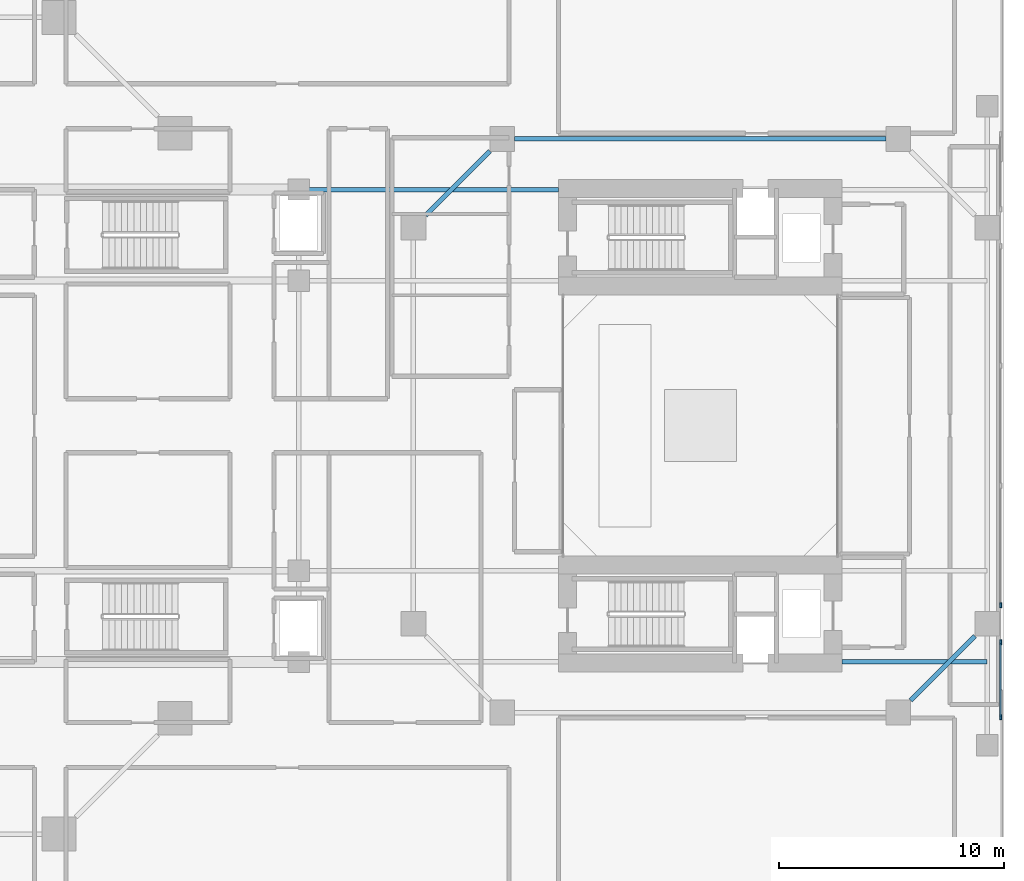
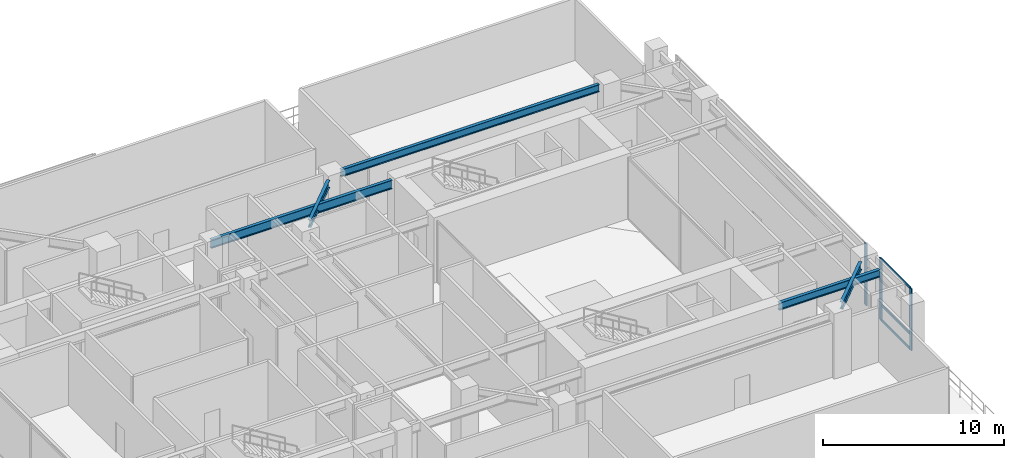
# One storey, part 7 of 19: 6 members, 5 beams, 2 elements without a shape of their own.
"""IFC4 building model written with IfcOpenShell, lengths in metres."""

from ifc_helpers import new_model, si_unit, direction, frame, origin, origin_2d, place, context, subcontext, project, spatial, rectangle, i_section, extrude, source, transform, mapped, material, layer, layer_set, material_profile, profile_set, type_object, element, aggregate, save


model = new_model("IFC4")

# Units and contexts
model_context = context("Model", 3, precision=1e-05, world=origin(), true_north=direction((0.0, 1.0)))
body_context = subcontext(model_context, "Body", "Model", "MODEL_VIEW")
ifc_project = project(units=[si_unit("LENGTHUNIT", "METRE"), si_unit("AREAUNIT", "SQUARE_METRE"), si_unit("VOLUMEUNIT", "CUBIC_METRE"), si_unit("PLANEANGLEUNIT", "RADIAN"), si_unit("MASSUNIT", "GRAM", prefix="KILO"), si_unit("THERMODYNAMICTEMPERATUREUNIT", "KELVIN"), si_unit("POWERUNIT", "WATT")], contexts=[model_context])

# Site, building, storey
site_placement = place(None, origin())
site = spatial("IfcSite", under=ifc_project, at=site_placement, CompositionType="ELEMENT")
building_placement = place(site_placement, origin())
building = spatial("IfcBuilding", under=site, at=building_placement, Name="Qiaomeng Ring Towers", CompositionType="ELEMENT")
storey_placement = place(building_placement, frame((0.0, 0.0, 5.0)))
storey = spatial("IfcBuildingStorey", under=building, at=storey_placement, Name="L01", CompositionType="ELEMENT", Elevation=5.0)

# Beams
ifc_material_1 = material(Name="Steel Q355B", Category="steel")
ifc_material_profile_1 = material_profile(ifc_material_1, i_section(OverallWidth=0.199951171875, OverallDepth=0.5, WebThickness=0.010009765625, FlangeThickness=0.01611328125, FilletRadius=0.02001953125, at=origin_2d()), Name="HN 500x200x10x16")
ifc_profile_set_1 = profile_set([ifc_material_profile_1], Name="Steel Q355B")
beam_type_1 = type_object("IfcBeamType", Name="STR-BM-HN500", PredefinedType="BEAM", material=ifc_profile_set_1)
shared_shape_1 = source(origin(), body_context, "Body", "SweptSolid", [
    extrude(i_section(OverallWidth=0.199951171875, OverallDepth=0.5, WebThickness=0.010009765625, FlangeThickness=0.01611328125, FilletRadius=0.02001953125, at=origin_2d()), origin(), (0.0, 0.0, 1.0), 4.032470703125),
])
for number, where, z_axis, x_axis, name in (
    (1, (69.849365234375, 10.79931640625, 3.929931640625), (0.707106781187, 0.707106781187, 0.0), (-0.707106781187, 0.707106781187, 0.0), "L01 beam STR-SP-L01-T2-2"),
    (2, (51.150634765625, 35.20068359375, 3.929931640625), (-0.707106781187, -0.707106781187, 0.0), (0.707106781187, -0.707106781187, 0.0), "L01 beam STR-SP-L01-T2-6"),
):
    element("IfcBeam", number, at=place(storey_placement, frame(where, z_axis=z_axis, x_axis=x_axis)), inside=storey, type_object=beam_type_1, Name=name, PredefinedType="BEAM", context=body_context, shape_type="MappedRepresentation", body=[
        mapped(shared_shape_1, transform((0.0, 0.0, 0.0), x_axis=(1.0, 0.0, 0.0), y_axis=(0.0, 1.0, 0.0), z_axis=(0.0, 0.0, 1.0), scale=1.0)),
    ])
shared_shape_2 = source(origin(), body_context, "Body", "SweptSolid", [
    extrude(i_section(OverallWidth=0.199951171875, OverallDepth=0.5, WebThickness=0.010009765625, FlangeThickness=0.01611328125, FilletRadius=0.02001953125, at=origin_2d()), origin(), (0.0, 0.0, 1.0), 16.501953125),
])
beam_1_placement = place(storey_placement, frame((68.7509765625, 35.75, 3.929931640625), z_axis=(-1.0, 0.0, 0.0), x_axis=(0.0, -1.0, 0.0)))
element("IfcBeam", 3, at=beam_1_placement, inside=storey, type_object=beam_type_1, Name="L01 beam STR-SP-L01-T2-5", PredefinedType="BEAM", context=body_context, shape_type="MappedRepresentation", body=[
    mapped(shared_shape_2, transform((0.0, 0.0, 0.0), x_axis=(1.0, 0.0, 0.0), y_axis=(0.0, 1.0, 0.0), z_axis=(0.0, 0.0, 1.0), scale=1.0)),
])
ifc_material_profile_2 = material_profile(ifc_material_1, i_section(OverallWidth=0.199951171875, OverallDepth=0.60009765625, WebThickness=0.010986328125, FlangeThickness=0.01708984375, FilletRadius=0.02197265625, at=origin_2d()), Name="HN 600x200x11x17")
ifc_profile_set_2 = profile_set([ifc_material_profile_2], Name="Steel Q355B")
beam_type_2 = type_object("IfcBeamType", Name="STR-BM-HN600", PredefinedType="BEAM", material=ifc_profile_set_2)
shared_shape_3 = source(origin(), body_context, "Body", "SweptSolid", [
    extrude(i_section(OverallWidth=0.199951171875, OverallDepth=0.60009765625, WebThickness=0.010986328125, FlangeThickness=0.01708984375, FilletRadius=0.02197265625, at=origin_2d()), origin(), (0.0, 0.0, 1.0), 11.550048828125),
])
beam_2_placement = place(storey_placement, frame((42.64990234375, 33.5, 3.8798828125), z_axis=(1.0, 0.0, 0.0), x_axis=(0.0, 1.0, 0.0)))
element("IfcBeam", 4, at=beam_2_placement, inside=storey, type_object=beam_type_2, Name="L01 beam STR-BM-L01-M2-3", PredefinedType="BEAM", context=body_context, shape_type="MappedRepresentation", body=[
    mapped(shared_shape_3, transform((0.0, 0.0, 0.0), x_axis=(1.0, 0.0, 0.0), y_axis=(0.0, 1.0, 0.0), z_axis=(0.0, 0.0, 1.0), scale=1.0)),
])
shared_shape_4 = source(origin(), body_context, "Body", "SweptSolid", [
    extrude(i_section(OverallWidth=0.199951171875, OverallDepth=0.5, WebThickness=0.010009765625, FlangeThickness=0.01611328125, FilletRadius=0.02001953125, at=origin_2d()), origin(), (0.0, 0.0, 1.0), 6.449951171875),
])
beam_3_placement = place(storey_placement, frame((66.800048828125, 12.5, 3.929931640625), z_axis=(1.0, 0.0, 0.0), x_axis=(0.0, 1.0, 0.0)))
element("IfcBeam", 5, at=beam_3_placement, inside=storey, type_object=beam_type_1, Name="L01 beam STR-BM-L01-E-0", PredefinedType="BEAM", context=body_context, shape_type="MappedRepresentation", body=[
    mapped(shared_shape_4, transform((0.0, 0.0, 0.0), x_axis=(1.0, 0.0, 0.0), y_axis=(0.0, 1.0, 0.0), z_axis=(0.0, 0.0, 1.0), scale=1.0)),
])

# Curtain wall, members
ifc_material_2 = material(Name="Fluorocarbon dark-grey aluminium", Category="aluminium")
ifc_layer = layer(ifc_material_2, 0.179931640625, Name="Fluorocarbon dark-grey aluminium")
ifc_layer_set = layer_set([ifc_layer], Name="Fluorocarbon dark-grey aluminium")
curtain_wall_type = type_object("IfcCurtainWallType", Name="ARC-CW-1", PredefinedType="NOTDEFINED", material=ifc_layer_set)
curtain_wall_1_placement = place(storey_placement, origin())
curtain_wall_1 = element("IfcCurtainWall", 6, at=curtain_wall_1_placement, inside=storey, type_object=curtain_wall_type, Name="L01 Curtain Wall CW1", PredefinedType="NOTDEFINED")
ifc_material_profile_3 = material_profile(ifc_material_2, rectangle(XDim=0.080078125, YDim=0.219970703125, at=origin_2d()), Name="ALU MULL 80x220")
ifc_profile_set_3 = profile_set([ifc_material_profile_3], Name="Fluorocarbon dark-grey aluminium")
member_type_1 = type_object("IfcMemberType", Name="ARC-CWM-180", PredefinedType="MULLION", material=ifc_profile_set_3)
shared_shape_5 = source(origin(), body_context, "Body", "SweptSolid", [
    extrude(rectangle(XDim=0.080078125, YDim=0.219970703125, at=origin_2d()), origin(), (0.0, 0.0, 1.0), 4.179931640625),
])
member_1_placement = place(storey_placement, frame((73.85009765625, 10.0400390625, 0.0), z_axis=(0.0, 0.0, 1.0), x_axis=(-1.0, 0.0, 0.0)))
member_1 = element("IfcMember", 7, at=member_1_placement, type_object=member_type_1, Name="CW1 mullion 1", PredefinedType="MULLION", context=body_context, shape_type="MappedRepresentation", body=[
    mapped(shared_shape_5, transform((0.0, 0.0, 0.0), x_axis=(1.0, 0.0, 0.0), y_axis=(0.0, 1.0, 0.0), z_axis=(0.0, 0.0, 1.0), scale=1.0)),
])
member_2_placement = place(storey_placement, frame((73.85009765625, 13.3701171875, 0.0), z_axis=(0.0, 0.0, 1.0), x_axis=(-1.0, 0.0, 0.0)))
member_2 = element("IfcMember", 8, at=member_2_placement, type_object=member_type_1, Name="CW1 mullion 2", PredefinedType="MULLION", context=body_context, shape_type="MappedRepresentation", body=[
    mapped(shared_shape_5, transform((0.0, 0.0, 0.0), x_axis=(1.0, 0.0, 0.0), y_axis=(0.0, 1.0, 0.0), z_axis=(0.0, 0.0, 1.0), scale=1.0)),
])

# Curtain wall, member
curtain_wall_2_placement = place(storey_placement, origin())
curtain_wall_2 = element("IfcCurtainWall", 9, at=curtain_wall_2_placement, inside=storey, type_object=curtain_wall_type, Name="L01 Curtain Wall CW1", PredefinedType="NOTDEFINED")
member_3_placement = place(storey_placement, frame((73.85009765625, 15.030029296875, 0.0), z_axis=(0.0, 0.0, 1.0), x_axis=(-1.0, 0.0, 0.0)))
member_3 = element("IfcMember", 10, at=member_3_placement, type_object=member_type_1, Name="CW1 mullion 1", PredefinedType="MULLION", context=body_context, shape_type="MappedRepresentation", body=[
    mapped(shared_shape_5, transform((0.0, 0.0, 0.0), x_axis=(1.0, 0.0, 0.0), y_axis=(0.0, 1.0, 0.0), z_axis=(0.0, 0.0, 1.0), scale=1.0)),
])
aggregate(curtain_wall_2, [member_3])

# Member
ifc_material_profile_4 = material_profile(ifc_material_2, rectangle(XDim=0.070068359375, YDim=0.139892578125, at=origin_2d()), Name="ALU TRAN 70x140")
ifc_profile_set_4 = profile_set([ifc_material_profile_4], Name="Fluorocarbon dark-grey aluminium")
member_type_2 = type_object("IfcMemberType", Name="ARC-CWT-140", PredefinedType="USERDEFINED", material=ifc_profile_set_4)
shared_shape_6 = source(origin(), body_context, "Body", "SweptSolid", [
    extrude(rectangle(XDim=0.070068359375, YDim=0.139892578125, at=origin_2d()), origin(), (0.0, 0.0, 1.0), 3.25),
])
member_4_placement = place(storey_placement, frame((73.85009765625, 10.080078125, 0.034912109375), z_axis=(0.0, 1.0, 0.0), x_axis=(-1.0, 0.0, 0.0)))
member_4 = element("IfcMember", 11, at=member_4_placement, type_object=member_type_2, Name="CW1 transom 1.1", ObjectType="TRANSOM", PredefinedType="USERDEFINED", context=body_context, shape_type="MappedRepresentation", body=[
    mapped(shared_shape_6, transform((0.0, 0.0, 0.0), x_axis=(1.0, 0.0, 0.0), y_axis=(0.0, 1.0, 0.0), z_axis=(0.0, 0.0, 1.0), scale=1.0)),
])

member_5_placement = place(storey_placement, frame((73.85009765625, 10.080078125, 1.050048828125), z_axis=(0.0, 1.0, 0.0), x_axis=(-1.0, 0.0, 0.0)))
member_5 = element("IfcMember", 12, at=member_5_placement, type_object=member_type_2, Name="CW1 transom 1.2", ObjectType="TRANSOM", PredefinedType="USERDEFINED", context=body_context, shape_type="MappedRepresentation", body=[
    mapped(shared_shape_6, transform((0.0, 0.0, 0.0), x_axis=(1.0, 0.0, 0.0), y_axis=(0.0, 1.0, 0.0), z_axis=(0.0, 0.0, 1.0), scale=1.0)),
])

member_6_placement = place(storey_placement, frame((73.85009765625, 10.080078125, 4.14501953125), z_axis=(0.0, 1.0, 0.0), x_axis=(-1.0, 0.0, 0.0)))
member_6 = element("IfcMember", 13, at=member_6_placement, type_object=member_type_2, Name="CW1 transom 1.3", ObjectType="TRANSOM", PredefinedType="USERDEFINED", context=body_context, shape_type="MappedRepresentation", body=[
    mapped(shared_shape_6, transform((0.0, 0.0, 0.0), x_axis=(1.0, 0.0, 0.0), y_axis=(0.0, 1.0, 0.0), z_axis=(0.0, 0.0, 1.0), scale=1.0)),
])

aggregate(curtain_wall_1, [member_1, member_2, member_4, member_5, member_6])

save(model, "model.ifc")
